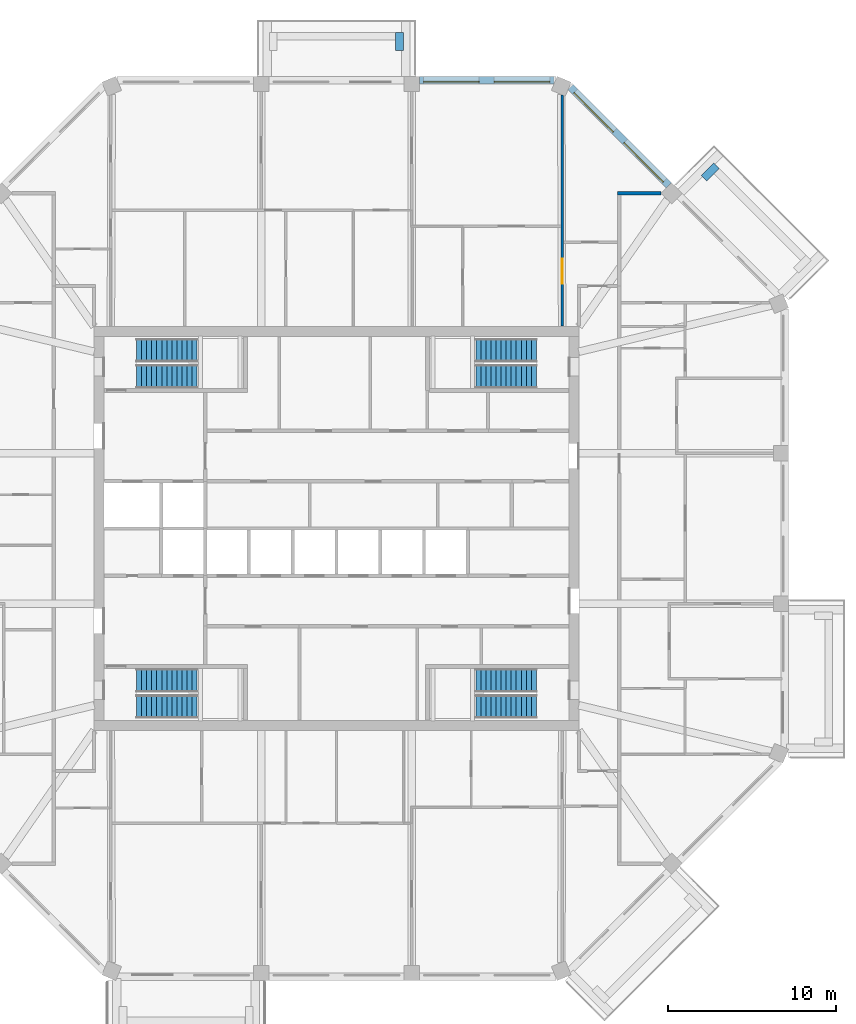
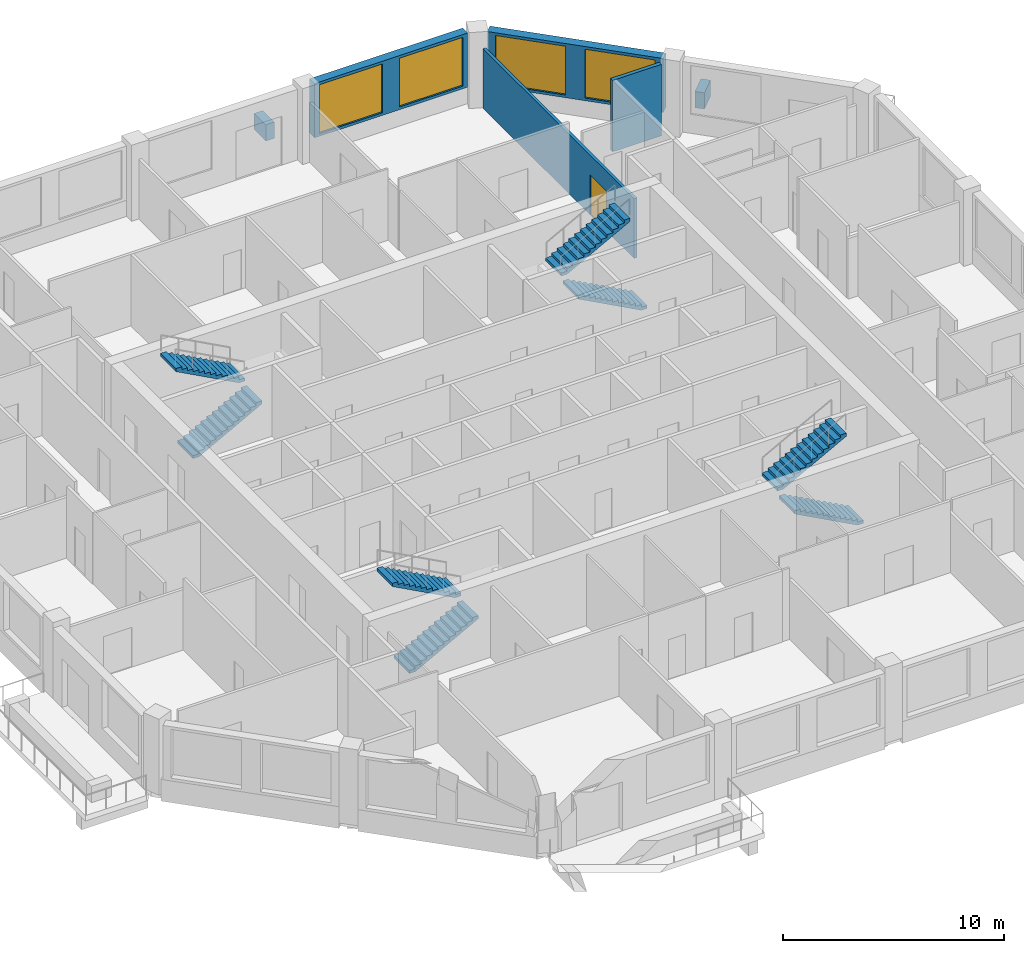
# One storey, part 10 of 11: 8 stair flights, 6 walls, 4 windows, 1 door, 5 openings, 4 elements without a shape of their own.
"""IFC4 building model written with IfcOpenShell, lengths in metres."""

from ifc_helpers import new_model, si_unit, direction, frame, frame_2d, origin, place, context, subcontext, project, spatial, polyline, rectangle, outline, extrude, material, layer, layer_set, type_object, element, fill, aggregate, save


model = new_model("IFC4")

# Units and contexts
model_context = context("Model", 3, precision=1e-05, world=origin(), true_north=direction((0.0, 1.0)))
body_context = subcontext(model_context, "Body", "Model", "MODEL_VIEW")
ifc_project = project(units=[si_unit("LENGTHUNIT", "METRE"), si_unit("AREAUNIT", "SQUARE_METRE"), si_unit("VOLUMEUNIT", "CUBIC_METRE"), si_unit("PLANEANGLEUNIT", "RADIAN"), si_unit("MASSUNIT", "GRAM", prefix="KILO")], contexts=[model_context])

# Site, building, storey
site_placement = place(None, origin())
site = spatial("IfcSite", under=ifc_project, at=site_placement, CompositionType="ELEMENT")
building_placement = place(site_placement, origin())
building = spatial("IfcBuilding", under=site, at=building_placement, Name="Msitu Wima Residences", CompositionType="ELEMENT")
storey_placement = place(building_placement, frame((0.0, 0.0, 302.10009765625)))
storey = spatial("IfcBuildingStorey", under=building, at=storey_placement, Name="L70", CompositionType="ELEMENT", Elevation=302.10009765625)

# Walls
ifc_material_1 = material(Name="Facing brick")
ifc_layer_1 = layer(ifc_material_1, 0.06494140625, Name="Facing brick")
ifc_material_2 = material(Name="Concrete C40/50", Category="concrete")
ifc_layer_2 = layer(ifc_material_2, 0.156005859375, Name="Concrete C40/50")
ifc_material_3 = material(Name="Waterproofing membrane")
ifc_layer_3 = layer(ifc_material_3, 0.00390625, Name="Waterproofing membrane")
ifc_material_4 = material(Name="Planting soil and planting")
ifc_layer_4 = layer(ifc_material_4, 0.22509765625, Name="Planting soil and planting")
ifc_layer_set_1 = layer_set([ifc_layer_1, ifc_layer_2, ifc_layer_3, ifc_layer_4], Name="Concrete C40/50")
wall_type_1 = type_object("IfcWallType", Name="Balcony planter PLANTER PL450", PredefinedType="USERDEFINED", material=ifc_layer_set_1)
for number, where, z_axis, x_axis, name in (
    (1, (21.829833984375, 20.804443359375, 0.0), (0.0, 0.0, 1.0), (0.707106781187, 0.707106781187, 0.0), "Balcony planter NE0 L70"),
    (2, (3.74365234375, 28.39990234375, 0.0), (0.0, 0.0, 1.0), (0.0, 1.0, 0.0), "Balcony planter N1 L70"),
):
    element("IfcWall", number, at=place(storey_placement, frame(where, z_axis=z_axis, x_axis=x_axis)), inside=storey, type_object=wall_type_1, Name=name, ObjectType="PLANTER", PredefinedType="USERDEFINED", context=body_context, shape_type="SweptSolid", body=[
        extrude(rectangle(XDim=1.050048828125, YDim=0.449951171875, at=frame_2d((0.52490234375, 0.0))), origin(), (0.0, 0.0, 1.0), 0.89990234375),
    ])

# Wall, openings, windows
ifc_material_5 = material(Name="Brick (red buff mix)", Category="masonry")
ifc_layer_5 = layer(ifc_material_5, 0.449951171875)
ifc_layer_set_2 = layer_set([ifc_layer_5], Name="Brick (red buff mix)")
wall_type_2 = type_object("IfcWallType", Name="Brick infill wall BW450", PredefinedType="SOLIDWALL", material=ifc_layer_set_2)
wall_1_placement = place(storey_placement, frame((19.743896484375, 20.380126953125, 0.89990234375), z_axis=(0.0, 0.0, 1.0), x_axis=(-0.707106781187, 0.707106781187, 0.0)))
wall_1 = element("IfcWall", 3, at=wall_1_placement, inside=storey, type_object=wall_type_2, Name="Brick infill wall L70 NE1", PredefinedType="SOLIDWALL", context=body_context, shape_type="SweptSolid", body=[
    extrude(rectangle(XDim=8.251220703125, YDim=0.449951171875, at=frame_2d((4.12548828125, 0.0))), origin(), (0.0, 0.0, 1.0), 3.0),
])
opening_1_placement = place(wall_1_placement, frame((0.37548828125, 0.0, 0.14990234375)))
opening_1 = element("IfcOpeningElement", 4, at=opening_1_placement, cuts=wall_1, Name="Opening W68-70.012", PredefinedType="OPENING", context=body_context, shape_type="SweptSolid", body=[
    extrude(rectangle(XDim=3.300048828125, YDim=2.699951171875, at=frame_2d((1.64990234375, 1.35009765625))), frame((0.0, 0.23486328125, 0.0), z_axis=(0.0, -1.0, 0.0), x_axis=(1.0, 0.0, 0.0)), (0.0, 0.0, 1.0), 0.469970703125),
])
opening_2_placement = place(wall_1_placement, frame((4.57568359375, 0.0, 0.14990234375)))
opening_2 = element("IfcOpeningElement", 5, at=opening_2_placement, cuts=wall_1, Name="Opening W68-70.013", PredefinedType="OPENING", context=body_context, shape_type="SweptSolid", body=[
    extrude(rectangle(XDim=3.300048828125, YDim=2.699951171875, at=frame_2d((1.64990234375, 1.35009765625))), frame((0.0, 0.23486328125, 0.0), z_axis=(0.0, -1.0, 0.0), x_axis=(1.0, 0.0, 0.0)), (0.0, 0.0, 1.0), 0.469970703125),
])
ifc_material_6 = material(Name="Anodised aluminium, bronze finish, clear low-emissivity double glazing", Category="aluminium")
window_type = type_object("IfcWindowType", Name="Window W3300x2700", PartitioningType="DOUBLE_PANEL_VERTICAL", PredefinedType="WINDOW", material=ifc_material_6)
window_1_placement = place(opening_1_placement, origin())
window_1 = element("IfcWindow", 6, at=window_1_placement, inside=storey, type_object=window_type, Name="Window L70 NE1.1", OverallHeight=2.699951171875, OverallWidth=3.300048828125, PartitioningType="SINGLE_PANEL", PredefinedType="WINDOW", context=body_context, shape_type="SweptSolid", body=[
    extrude(rectangle(XDim=3.300048828125, YDim=2.699951171875, at=frame_2d((1.64990234375, 1.35009765625))), frame((0.0, 0.135009765625, 0.0), z_axis=(0.0, -1.0, 0.0), x_axis=(1.0, 0.0, 0.0)), (0.0, 0.0, 1.0), 0.06005859375),
])
fill(opening_1, window_1)
window_2_placement = place(opening_2_placement, origin())
window_2 = element("IfcWindow", 7, at=window_2_placement, inside=storey, type_object=window_type, Name="Window L70 NE1.2", OverallHeight=2.699951171875, OverallWidth=3.300048828125, PartitioningType="SINGLE_PANEL", PredefinedType="WINDOW", context=body_context, shape_type="SweptSolid", body=[
    extrude(rectangle(XDim=3.300048828125, YDim=2.699951171875, at=frame_2d((1.64990234375, 1.35009765625))), frame((0.0, 0.135009765625, 0.0), z_axis=(0.0, -1.0, 0.0), x_axis=(1.0, 0.0, 0.0)), (0.0, 0.0, 1.0), 0.06005859375),
])
fill(opening_2, window_2)

wall_2_placement = place(storey_placement, frame((12.918701171875, 26.625, 0.89990234375), z_axis=(0.0, 0.0, 1.0), x_axis=(-1.0, 0.0, 0.0)))
wall_2 = element("IfcWall", 8, at=wall_2_placement, inside=storey, type_object=wall_type_2, Name="Brick infill wall L70 N0", PredefinedType="SOLIDWALL", context=body_context, shape_type="SweptSolid", body=[
    extrude(rectangle(XDim=8.0, YDim=0.449951171875, at=frame_2d((4.0, 0.0))), origin(), (0.0, 0.0, 1.0), 3.0),
])
opening_3_placement = place(wall_2_placement, frame((0.25, 0.0, 0.14990234375)))
opening_3 = element("IfcOpeningElement", 9, at=opening_3_placement, cuts=wall_2, Name="Opening W68-70.006", PredefinedType="OPENING", context=body_context, shape_type="SweptSolid", body=[
    extrude(rectangle(XDim=3.300048828125, YDim=2.699951171875, at=frame_2d((1.64990234375, 1.35009765625))), frame((0.0, 0.23486328125, 0.0), z_axis=(0.0, -1.0, 0.0), x_axis=(1.0, 0.0, 0.0)), (0.0, 0.0, 1.0), 0.469970703125),
])
opening_4_placement = place(wall_2_placement, frame((4.4501953125, 0.0, 0.14990234375)))
opening_4 = element("IfcOpeningElement", 10, at=opening_4_placement, cuts=wall_2, Name="Opening W68-70.007", PredefinedType="OPENING", context=body_context, shape_type="SweptSolid", body=[
    extrude(rectangle(XDim=3.300048828125, YDim=2.699951171875, at=frame_2d((1.64990234375, 1.35009765625))), frame((0.0, 0.23486328125, 0.0), z_axis=(0.0, -1.0, 0.0), x_axis=(1.0, 0.0, 0.0)), (0.0, 0.0, 1.0), 0.469970703125),
])
window_3_placement = place(opening_3_placement, origin())
window_3 = element("IfcWindow", 11, at=window_3_placement, inside=storey, type_object=window_type, Name="Window L70 N0.1", OverallHeight=2.699951171875, OverallWidth=3.300048828125, PartitioningType="SINGLE_PANEL", PredefinedType="WINDOW", context=body_context, shape_type="SweptSolid", body=[
    extrude(rectangle(XDim=3.300048828125, YDim=2.699951171875, at=frame_2d((1.64990234375, 1.35009765625))), frame((0.0, 0.135009765625, 0.0), z_axis=(0.0, -1.0, 0.0), x_axis=(1.0, 0.0, 0.0)), (0.0, 0.0, 1.0), 0.06005859375),
])
fill(opening_3, window_3)
window_4_placement = place(opening_4_placement, origin())
window_4 = element("IfcWindow", 12, at=window_4_placement, inside=storey, type_object=window_type, Name="Window L70 N0.2", OverallHeight=2.699951171875, OverallWidth=3.300048828125, PartitioningType="SINGLE_PANEL", PredefinedType="WINDOW", context=body_context, shape_type="SweptSolid", body=[
    extrude(rectangle(XDim=3.300048828125, YDim=2.699951171875, at=frame_2d((1.64990234375, 1.35009765625))), frame((0.0, 0.135009765625, 0.0), z_axis=(0.0, -1.0, 0.0), x_axis=(1.0, 0.0, 0.0)), (0.0, 0.0, 1.0), 0.06005859375),
])
fill(opening_4, window_4)

# Wall, opening, door
ifc_material_7 = material(Name="Plaster")
ifc_layer_6 = layer(ifc_material_7, 0.011962890625, Name="Plaster")
ifc_material_8 = material(Name="Concrete blockwork", Category="masonry")
ifc_layer_7 = layer(ifc_material_8, 0.1259765625, Name="Concrete blockwork")
ifc_layer_8 = layer(ifc_material_7, 0.011962890625, Name="Plaster")
ifc_layer_set_3 = layer_set([ifc_layer_6, ifc_layer_7, ifc_layer_8], Name="Concrete blockwork")
wall_type_3 = type_object("IfcWallType", Name="Partition PW150", PredefinedType="PARTITIONING", material=ifc_layer_set_3)
wall_3_placement = place(storey_placement, frame((13.406005859375, 12.030029296875, 0.0), z_axis=(0.0, 0.0, 1.0), x_axis=(0.0, 1.0, 0.0)))
wall_3 = element("IfcWall", 13, at=wall_3_placement, inside=storey, type_object=wall_type_3, Name="Partition", PredefinedType="PARTITIONING", context=body_context, shape_type="SweptSolid", body=[
    extrude(rectangle(XDim=13.701171875, YDim=0.14990234375, at=frame_2d((6.8505859375, 0.0))), origin(), (0.0, 0.0, 1.0), 3.2998046875),
])
opening_5_placement = place(wall_3_placement, frame((2.5, 0.0, 0.0)))
opening_5 = element("IfcOpeningElement", 14, at=opening_5_placement, cuts=wall_3, Name="Opening D68-70.022", PredefinedType="OPENING", context=body_context, shape_type="SweptSolid", body=[
    extrude(rectangle(XDim=1.5, YDim=2.199951171875, at=frame_2d((0.75, 1.10009765625))), frame((0.0, 0.0849609375, 0.0), z_axis=(0.0, -1.0, 0.0), x_axis=(1.0, 0.0, 0.0)), (0.0, 0.0, 1.0), 0.169921875),
])
ifc_material_9 = material(Name="Timber double door", Category="wood")
door_type = type_object("IfcDoorType", Name="Double door D04 1500x2200", OperationType="DOUBLE_DOOR_SINGLE_SWING", PredefinedType="DOOR", material=ifc_material_9)
door_placement = place(opening_5_placement, origin())
door = element("IfcDoor", 15, at=door_placement, inside=storey, type_object=door_type, Name="Double door", OperationType="DOUBLE_DOOR_SINGLE_SWING", OverallHeight=2.199951171875, OverallWidth=1.5, PredefinedType="DOOR", context=body_context, shape_type="SweptSolid", body=[
    extrude(rectangle(XDim=1.5, YDim=2.199951171875, at=frame_2d((0.75, 1.10009765625))), frame((0.0, 0.02490234375, 0.0), z_axis=(0.0, -1.0, 0.0), x_axis=(1.0, 0.0, 0.0)), (0.0, 0.0, 1.0), 0.050048828125),
])
fill(opening_5, door)

# Wall
ifc_layer_9 = layer(ifc_material_7, 0.011962890625, Name="Plaster")
ifc_material_10 = material(Name="Dense concrete blockwork", Category="masonry")
ifc_layer_10 = layer(ifc_material_10, 0.176025390625, Name="Dense concrete blockwork")
ifc_layer_11 = layer(ifc_material_7, 0.011962890625, Name="Plaster")
ifc_layer_set_4 = layer_set([ifc_layer_9, ifc_layer_10, ifc_layer_11], Name="Dense concrete blockwork")
wall_type_4 = type_object("IfcWallType", Name="Party wall PW200", PredefinedType="PARTITIONING", material=ifc_layer_set_4)
wall_4_placement = place(storey_placement, frame((16.699951171875, 19.90283203125, 0.0), z_axis=(0.0, 0.0, 1.0), x_axis=(1.0, 0.0, 0.0)))
element("IfcWall", 16, at=wall_4_placement, inside=storey, type_object=wall_type_4, Name="Party wall", PredefinedType="PARTITIONING", context=body_context, shape_type="SweptSolid", body=[
    extrude(rectangle(XDim=2.566650390625, YDim=0.199951171875, at=frame_2d((1.283203125, 0.0))), origin(), (0.0, 0.0, 1.0), 3.949951171875),
])

# Stair, stair flights
stair_type = type_object("IfcStairType", Name="Exit stair ES1615-140", PredefinedType="HALF_TURN_STAIR", material=ifc_material_2)
stair_1_placement = place(storey_placement, origin())
stair_1 = element("IfcStair", 17, at=stair_1_placement, inside=storey, type_object=stair_type, Name="Exit stair 1", PredefinedType="HALF_TURN_STAIR")
stair_flight_type = type_object("IfcStairFlightType", Name="Exit stair flight ES1615-140", PredefinedType="STRAIGHT", material=ifc_material_2)
stair_flight_1_placement = place(storey_placement, frame((-11.875, 9.02490234375, 0.0), z_axis=(0.0, 0.0, 1.0), x_axis=(1.0, 0.0, 0.0)))
stair_flight_1 = element("IfcStairFlight", 18, at=stair_flight_1_placement, type_object=stair_flight_type, Name="S1 flight 1", NumberOfRisers=13, NumberOfTreads=12, PredefinedType="STRAIGHT", RiserHeight=0.161538462, TreadLength=0.3, context=body_context, shape_type="SweptSolid", body=[
    extrude(outline(polyline([(0.0, 0.0), (0.0, 0.16162109375), (0.300048828125, 0.16162109375), (0.300048828125, 0.322998046875), (0.60009765625, 0.322998046875), (0.60009765625, 0.484619140625), (0.89990234375, 0.484619140625), (0.89990234375, 0.646240234375), (1.199951171875, 0.646240234375), (1.199951171875, 0.8076171875), (1.5, 0.8076171875), (1.5, 0.96923828125), (1.800048828125, 0.96923828125), (1.800048828125, 1.130859375), (2.10009765625, 1.130859375), (2.10009765625, 1.292236328125), (2.39990234375, 1.292236328125), (2.39990234375, 1.453857421875), (2.699951171875, 1.453857421875), (2.699951171875, 1.615478515625), (3.0, 1.615478515625), (3.0, 1.77685546875), (3.300048828125, 1.77685546875), (3.300048828125, 1.9384765625), (3.60009765625, 1.9384765625), (3.60009765625, 2.10009765625), (3.60009765625, 1.768310546875), (0.316162109375, 0.0), (0.0, 0.0)])), frame((0.0, 0.699951171875, 0.0), z_axis=(0.0, -1.0, 0.0), x_axis=(1.0, 0.0, 0.0)), (0.0, 0.0, 1.0), 1.39990234375),
])
stair_flight_2_placement = place(storey_placement, frame((-8.27490234375, 10.574951171875, 2.099853515625), z_axis=(0.0, 0.0, 1.0), x_axis=(-1.0, 0.0, 0.0)))
stair_flight_2 = element("IfcStairFlight", 19, at=stair_flight_2_placement, type_object=stair_flight_type, Name="S1 flight 2", NumberOfRisers=13, NumberOfTreads=12, PredefinedType="STRAIGHT", RiserHeight=0.161538462, TreadLength=0.3, context=body_context, shape_type="SweptSolid", body=[
    extrude(outline(polyline([(0.0, 0.0), (0.0, 0.16162109375), (0.300048828125, 0.16162109375), (0.300048828125, 0.322998046875), (0.60009765625, 0.322998046875), (0.60009765625, 0.484619140625), (0.89990234375, 0.484619140625), (0.89990234375, 0.646240234375), (1.199951171875, 0.646240234375), (1.199951171875, 0.8076171875), (1.5, 0.8076171875), (1.5, 0.96923828125), (1.800048828125, 0.96923828125), (1.800048828125, 1.130859375), (2.10009765625, 1.130859375), (2.10009765625, 1.292236328125), (2.39990234375, 1.292236328125), (2.39990234375, 1.453857421875), (2.699951171875, 1.453857421875), (2.699951171875, 1.615478515625), (3.0, 1.615478515625), (3.0, 1.77685546875), (3.300048828125, 1.77685546875), (3.300048828125, 1.9384765625), (3.60009765625, 1.9384765625), (3.60009765625, 2.10009765625), (3.60009765625, 1.768310546875), (0.316162109375, 0.0), (0.0, 0.0)])), frame((0.0, 0.699951171875, 0.0), z_axis=(0.0, -1.0, 0.0), x_axis=(1.0, 0.0, 0.0)), (0.0, 0.0, 1.0), 1.39990234375),
])
aggregate(stair_1, [stair_flight_1, stair_flight_2])

stair_2_placement = place(storey_placement, origin())
stair_2 = element("IfcStair", 20, at=stair_2_placement, inside=storey, type_object=stair_type, Name="Exit stair 2", PredefinedType="HALF_TURN_STAIR")
stair_flight_3_placement = place(storey_placement, frame((-11.875, -10.574951171875, 0.0), z_axis=(0.0, 0.0, 1.0), x_axis=(1.0, 0.0, 0.0)))
stair_flight_3 = element("IfcStairFlight", 21, at=stair_flight_3_placement, type_object=stair_flight_type, Name="S2 flight 1", NumberOfRisers=13, NumberOfTreads=12, PredefinedType="STRAIGHT", RiserHeight=0.161538462, TreadLength=0.3, context=body_context, shape_type="SweptSolid", body=[
    extrude(outline(polyline([(0.0, 0.0), (0.0, 0.16162109375), (0.300048828125, 0.16162109375), (0.300048828125, 0.322998046875), (0.60009765625, 0.322998046875), (0.60009765625, 0.484619140625), (0.89990234375, 0.484619140625), (0.89990234375, 0.646240234375), (1.199951171875, 0.646240234375), (1.199951171875, 0.8076171875), (1.5, 0.8076171875), (1.5, 0.96923828125), (1.800048828125, 0.96923828125), (1.800048828125, 1.130859375), (2.10009765625, 1.130859375), (2.10009765625, 1.292236328125), (2.39990234375, 1.292236328125), (2.39990234375, 1.453857421875), (2.699951171875, 1.453857421875), (2.699951171875, 1.615478515625), (3.0, 1.615478515625), (3.0, 1.77685546875), (3.300048828125, 1.77685546875), (3.300048828125, 1.9384765625), (3.60009765625, 1.9384765625), (3.60009765625, 2.10009765625), (3.60009765625, 1.768310546875), (0.316162109375, 0.0), (0.0, 0.0)])), frame((0.0, 0.699951171875, 0.0), z_axis=(0.0, -1.0, 0.0), x_axis=(1.0, 0.0, 0.0)), (0.0, 0.0, 1.0), 1.39990234375),
])
stair_flight_4_placement = place(storey_placement, frame((-8.27490234375, -9.02490234375, 2.099853515625), z_axis=(0.0, 0.0, 1.0), x_axis=(-1.0, 0.0, 0.0)))
stair_flight_4 = element("IfcStairFlight", 22, at=stair_flight_4_placement, type_object=stair_flight_type, Name="S2 flight 2", NumberOfRisers=13, NumberOfTreads=12, PredefinedType="STRAIGHT", RiserHeight=0.161538462, TreadLength=0.3, context=body_context, shape_type="SweptSolid", body=[
    extrude(outline(polyline([(0.0, 0.0), (0.0, 0.16162109375), (0.300048828125, 0.16162109375), (0.300048828125, 0.322998046875), (0.60009765625, 0.322998046875), (0.60009765625, 0.484619140625), (0.89990234375, 0.484619140625), (0.89990234375, 0.646240234375), (1.199951171875, 0.646240234375), (1.199951171875, 0.8076171875), (1.5, 0.8076171875), (1.5, 0.96923828125), (1.800048828125, 0.96923828125), (1.800048828125, 1.130859375), (2.10009765625, 1.130859375), (2.10009765625, 1.292236328125), (2.39990234375, 1.292236328125), (2.39990234375, 1.453857421875), (2.699951171875, 1.453857421875), (2.699951171875, 1.615478515625), (3.0, 1.615478515625), (3.0, 1.77685546875), (3.300048828125, 1.77685546875), (3.300048828125, 1.9384765625), (3.60009765625, 1.9384765625), (3.60009765625, 2.10009765625), (3.60009765625, 1.768310546875), (0.316162109375, 0.0), (0.0, 0.0)])), frame((0.0, 0.699951171875, 0.0), z_axis=(0.0, -1.0, 0.0), x_axis=(1.0, 0.0, 0.0)), (0.0, 0.0, 1.0), 1.39990234375),
])
aggregate(stair_2, [stair_flight_3, stair_flight_4])

stair_3_placement = place(storey_placement, origin())
stair_3 = element("IfcStair", 23, at=stair_3_placement, inside=storey, type_object=stair_type, Name="Exit stair 3", PredefinedType="HALF_TURN_STAIR")
stair_flight_5_placement = place(storey_placement, frame((11.875, 9.02490234375, 0.0), z_axis=(0.0, 0.0, 1.0), x_axis=(-1.0, 0.0, 0.0)))
stair_flight_5 = element("IfcStairFlight", 24, at=stair_flight_5_placement, type_object=stair_flight_type, Name="S3 flight 1", NumberOfRisers=13, NumberOfTreads=12, PredefinedType="STRAIGHT", RiserHeight=0.161538462, TreadLength=0.3, context=body_context, shape_type="SweptSolid", body=[
    extrude(outline(polyline([(0.0, 0.0), (0.0, 0.16162109375), (0.300048828125, 0.16162109375), (0.300048828125, 0.322998046875), (0.60009765625, 0.322998046875), (0.60009765625, 0.484619140625), (0.89990234375, 0.484619140625), (0.89990234375, 0.646240234375), (1.199951171875, 0.646240234375), (1.199951171875, 0.8076171875), (1.5, 0.8076171875), (1.5, 0.96923828125), (1.800048828125, 0.96923828125), (1.800048828125, 1.130859375), (2.10009765625, 1.130859375), (2.10009765625, 1.292236328125), (2.39990234375, 1.292236328125), (2.39990234375, 1.453857421875), (2.699951171875, 1.453857421875), (2.699951171875, 1.615478515625), (3.0, 1.615478515625), (3.0, 1.77685546875), (3.300048828125, 1.77685546875), (3.300048828125, 1.9384765625), (3.60009765625, 1.9384765625), (3.60009765625, 2.10009765625), (3.60009765625, 1.768310546875), (0.316162109375, 0.0), (0.0, 0.0)])), frame((0.0, 0.699951171875, 0.0), z_axis=(0.0, -1.0, 0.0), x_axis=(1.0, 0.0, 0.0)), (0.0, 0.0, 1.0), 1.39990234375),
])
stair_flight_6_placement = place(storey_placement, frame((8.27490234375, 10.574951171875, 2.099853515625), z_axis=(0.0, 0.0, 1.0), x_axis=(1.0, 0.0, 0.0)))
stair_flight_6 = element("IfcStairFlight", 25, at=stair_flight_6_placement, type_object=stair_flight_type, Name="S3 flight 2", NumberOfRisers=13, NumberOfTreads=12, PredefinedType="STRAIGHT", RiserHeight=0.161538462, TreadLength=0.3, context=body_context, shape_type="SweptSolid", body=[
    extrude(outline(polyline([(0.0, 0.0), (0.0, 0.16162109375), (0.300048828125, 0.16162109375), (0.300048828125, 0.322998046875), (0.60009765625, 0.322998046875), (0.60009765625, 0.484619140625), (0.89990234375, 0.484619140625), (0.89990234375, 0.646240234375), (1.199951171875, 0.646240234375), (1.199951171875, 0.8076171875), (1.5, 0.8076171875), (1.5, 0.96923828125), (1.800048828125, 0.96923828125), (1.800048828125, 1.130859375), (2.10009765625, 1.130859375), (2.10009765625, 1.292236328125), (2.39990234375, 1.292236328125), (2.39990234375, 1.453857421875), (2.699951171875, 1.453857421875), (2.699951171875, 1.615478515625), (3.0, 1.615478515625), (3.0, 1.77685546875), (3.300048828125, 1.77685546875), (3.300048828125, 1.9384765625), (3.60009765625, 1.9384765625), (3.60009765625, 2.10009765625), (3.60009765625, 1.768310546875), (0.316162109375, 0.0), (0.0, 0.0)])), frame((0.0, 0.699951171875, 0.0), z_axis=(0.0, -1.0, 0.0), x_axis=(1.0, 0.0, 0.0)), (0.0, 0.0, 1.0), 1.39990234375),
])
aggregate(stair_3, [stair_flight_5, stair_flight_6])

stair_4_placement = place(storey_placement, origin())
stair_4 = element("IfcStair", 26, at=stair_4_placement, inside=storey, type_object=stair_type, Name="Exit stair 4", PredefinedType="HALF_TURN_STAIR")
stair_flight_7_placement = place(storey_placement, frame((11.875, -10.574951171875, 0.0), z_axis=(0.0, 0.0, 1.0), x_axis=(-1.0, 0.0, 0.0)))
stair_flight_7 = element("IfcStairFlight", 27, at=stair_flight_7_placement, type_object=stair_flight_type, Name="S4 flight 1", NumberOfRisers=13, NumberOfTreads=12, PredefinedType="STRAIGHT", RiserHeight=0.161538462, TreadLength=0.3, context=body_context, shape_type="SweptSolid", body=[
    extrude(outline(polyline([(0.0, 0.0), (0.0, 0.16162109375), (0.300048828125, 0.16162109375), (0.300048828125, 0.322998046875), (0.60009765625, 0.322998046875), (0.60009765625, 0.484619140625), (0.89990234375, 0.484619140625), (0.89990234375, 0.646240234375), (1.199951171875, 0.646240234375), (1.199951171875, 0.8076171875), (1.5, 0.8076171875), (1.5, 0.96923828125), (1.800048828125, 0.96923828125), (1.800048828125, 1.130859375), (2.10009765625, 1.130859375), (2.10009765625, 1.292236328125), (2.39990234375, 1.292236328125), (2.39990234375, 1.453857421875), (2.699951171875, 1.453857421875), (2.699951171875, 1.615478515625), (3.0, 1.615478515625), (3.0, 1.77685546875), (3.300048828125, 1.77685546875), (3.300048828125, 1.9384765625), (3.60009765625, 1.9384765625), (3.60009765625, 2.10009765625), (3.60009765625, 1.768310546875), (0.316162109375, 0.0), (0.0, 0.0)])), frame((0.0, 0.699951171875, 0.0), z_axis=(0.0, -1.0, 0.0), x_axis=(1.0, 0.0, 0.0)), (0.0, 0.0, 1.0), 1.39990234375),
])
stair_flight_8_placement = place(storey_placement, frame((8.27490234375, -9.02490234375, 2.099853515625), z_axis=(0.0, 0.0, 1.0), x_axis=(1.0, 0.0, 0.0)))
stair_flight_8 = element("IfcStairFlight", 28, at=stair_flight_8_placement, type_object=stair_flight_type, Name="S4 flight 2", NumberOfRisers=13, NumberOfTreads=12, PredefinedType="STRAIGHT", RiserHeight=0.161538462, TreadLength=0.3, context=body_context, shape_type="SweptSolid", body=[
    extrude(outline(polyline([(0.0, 0.0), (0.0, 0.16162109375), (0.300048828125, 0.16162109375), (0.300048828125, 0.322998046875), (0.60009765625, 0.322998046875), (0.60009765625, 0.484619140625), (0.89990234375, 0.484619140625), (0.89990234375, 0.646240234375), (1.199951171875, 0.646240234375), (1.199951171875, 0.8076171875), (1.5, 0.8076171875), (1.5, 0.96923828125), (1.800048828125, 0.96923828125), (1.800048828125, 1.130859375), (2.10009765625, 1.130859375), (2.10009765625, 1.292236328125), (2.39990234375, 1.292236328125), (2.39990234375, 1.453857421875), (2.699951171875, 1.453857421875), (2.699951171875, 1.615478515625), (3.0, 1.615478515625), (3.0, 1.77685546875), (3.300048828125, 1.77685546875), (3.300048828125, 1.9384765625), (3.60009765625, 1.9384765625), (3.60009765625, 2.10009765625), (3.60009765625, 1.768310546875), (0.316162109375, 0.0), (0.0, 0.0)])), frame((0.0, 0.699951171875, 0.0), z_axis=(0.0, -1.0, 0.0), x_axis=(1.0, 0.0, 0.0)), (0.0, 0.0, 1.0), 1.39990234375),
])
aggregate(stair_4, [stair_flight_7, stair_flight_8])

save(model, "model.ifc")
